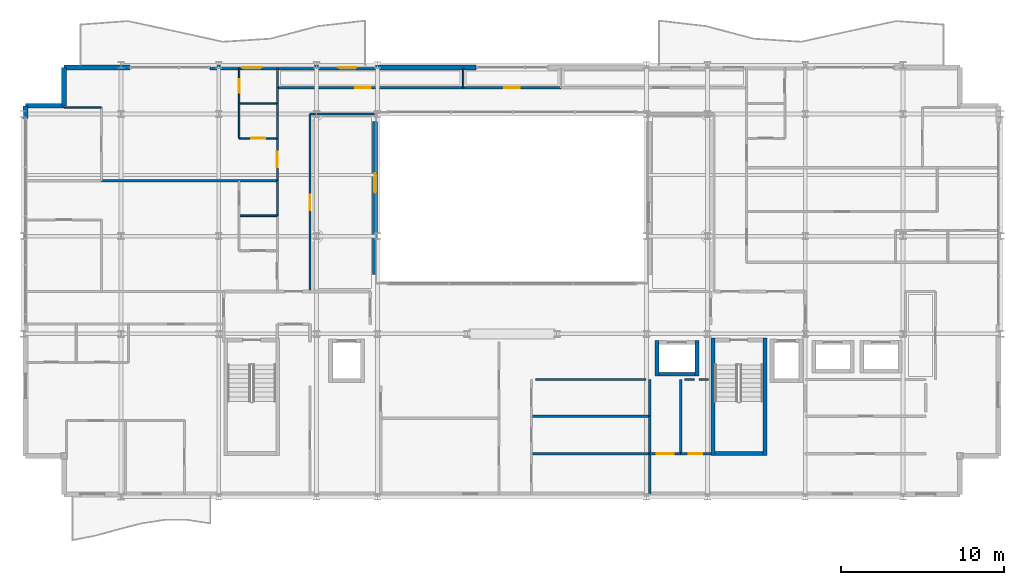
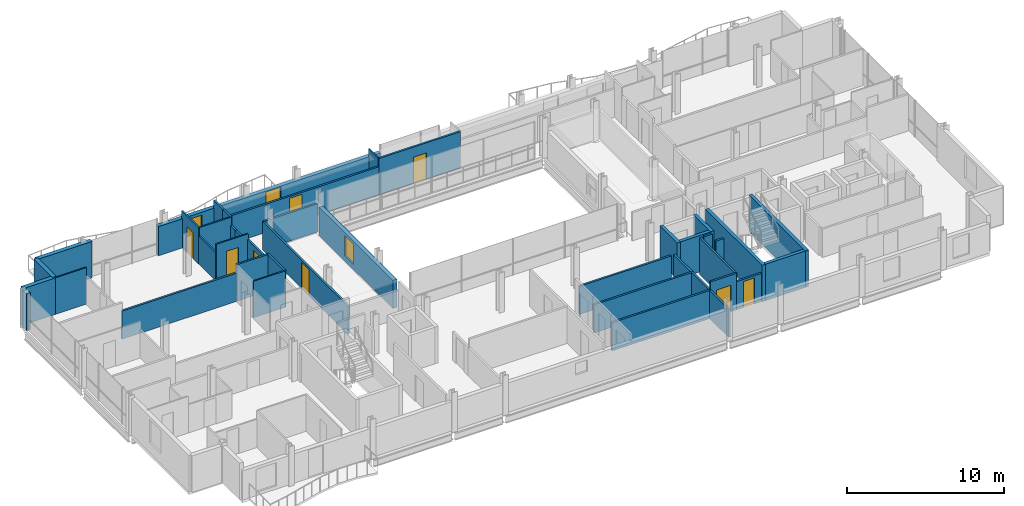
# One storey, part 30 of 36: 42 walls, 9 doors, 2 windows, 11 openings.
"""IFC4 building model written with IfcOpenShell, lengths in metres."""

from ifc_helpers import new_model, si_unit, direction, frame, frame_2d, origin, place, context, subcontext, project, spatial, rectangle, extrude, material, layer, layer_set, type_object, element, fill, save


model = new_model("IFC4")

# Units and contexts
model_context = context("Model", 3, precision=1e-05, world=origin(), true_north=direction((0.0, 1.0)))
body_context = subcontext(model_context, "Body", "Model", "MODEL_VIEW")
ifc_project = project(units=[si_unit("LENGTHUNIT", "METRE"), si_unit("AREAUNIT", "SQUARE_METRE"), si_unit("VOLUMEUNIT", "CUBIC_METRE"), si_unit("PLANEANGLEUNIT", "RADIAN"), si_unit("MASSUNIT", "GRAM", prefix="KILO")], contexts=[model_context])

# Site, building, storey
site_placement = place(None, origin())
site = spatial("IfcSite", under=ifc_project, at=site_placement, CompositionType="ELEMENT")
building_placement = place(site_placement, origin())
building = spatial("IfcBuilding", under=site, at=building_placement, Name="Brevholm Reach", CompositionType="ELEMENT")
storey_placement = place(building_placement, frame((0.0, 0.0, 175.89990234375)))
storey = spatial("IfcBuildingStorey", under=building, at=storey_placement, Name="L53", CompositionType="ELEMENT", Elevation=175.89990234375)

# Walls
ifc_material_1 = material(Name="Concrete C45/55", Category="concrete")
ifc_layer_1 = layer(ifc_material_1, 0.239990234375)
ifc_layer_set_1 = layer_set([ifc_layer_1], Name="Concrete C45/55")
wall_type_1 = type_object("IfcWallType", Name="WAL-COR-240", PredefinedType="SHEAR", material=ifc_layer_set_1)
for number, where, z_axis, x_axis, name in (
    (1, (42.330078125, 2.5400390625, 0.0), (0.0, 0.0, 1.0), (0.0, 1.0, 0.0), "L53 Escape Stair ST-2 Core Wall W"),
    (2, (45.52001953125, 2.5400390625, 0.0), (0.0, 0.0, 1.0), (0.0, 1.0, 0.0), "L53 Escape Stair ST-2 Core Wall E"),
):
    element("IfcWall", number, at=place(storey_placement, frame(where, z_axis=z_axis, x_axis=x_axis)), inside=storey, type_object=wall_type_1, Name=name, PredefinedType="SHEAR", context=body_context, shape_type="SweptSolid", body=[
        extrude(rectangle(XDim=7.199951171875, YDim=0.239990234375, at=frame_2d((3.60009765625, 0.0))), origin(), (0.0, 0.0, 1.0), 2.840087890625),
    ])
wall_1_placement = place(storey_placement, frame((42.449951171875, 2.659912109375, 0.0), z_axis=(0.0, 0.0, 1.0), x_axis=(1.0, 0.0, 0.0)))
element("IfcWall", 3, at=wall_1_placement, inside=storey, type_object=wall_type_1, Name="L53 Escape Stair ST-2 Core Wall S", PredefinedType="SHEAR", context=body_context, shape_type="SweptSolid", body=[
    extrude(rectangle(XDim=2.949951171875, YDim=0.239990234375, at=frame_2d((1.47509765625, 0.0))), origin(), (0.0, 0.0, 1.0), 2.840087890625),
])
for number, where, z_axis, x_axis, name in (
    (4, (38.889892578125, 7.39990234375, 0.0), (0.0, 0.0, 1.0), (0.0, 1.0, 0.0), "L53 Lift PL-S1 Shaft Wall W"),
    (5, (41.35009765625, 7.39990234375, 0.0), (0.0, 0.0, 1.0), (0.0, 1.0, 0.0), "L53 Lift PL-S1 Shaft Wall E"),
):
    element("IfcWall", number, at=place(storey_placement, frame(where, z_axis=z_axis, x_axis=x_axis)), inside=storey, type_object=wall_type_1, Name=name, PredefinedType="SHEAR", context=body_context, shape_type="SweptSolid", body=[
        extrude(rectangle(XDim=2.2001953125, YDim=0.239990234375, at=frame_2d((1.10009765625, 0.0))), origin(), (0.0, 0.0, 1.0), 2.840087890625),
    ])
wall_2_placement = place(storey_placement, frame((39.010009765625, 7.52001953125, 0.0), z_axis=(0.0, 0.0, 1.0), x_axis=(1.0, 0.0, 0.0)))
element("IfcWall", 6, at=wall_2_placement, inside=storey, type_object=wall_type_1, Name="L53 Lift PL-S1 Shaft Wall S", PredefinedType="SHEAR", context=body_context, shape_type="SweptSolid", body=[
    extrude(rectangle(XDim=2.219970703125, YDim=0.239990234375, at=frame_2d((1.10986328125, 0.0))), origin(), (0.0, 0.0, 1.0), 2.840087890625),
])
ifc_material_2 = material(Name="Concrete C40/50", Category="concrete")
ifc_layer_2 = layer(ifc_material_2, 0.300048828125)
ifc_layer_set_2 = layer_set([ifc_layer_2], Name="Concrete C40/50")
wall_type_2 = type_object("IfcWallType", Name="WAL-EXT-300", PredefinedType="STANDARD", material=ifc_layer_set_2)
for number, where, z_axis, x_axis, name in (
    (7, (2.5, 26.35009765625, 0.0), (0.0, 0.0, 1.0), (0.0, -1.0, 0.0), "L53 Facade Wall WAL-L53-CNW1"),
    (8, (2.5, 24.0, 0.0), (0.0, 0.0, 1.0), (-1.0, 0.0, 0.0), "L53 Facade Wall WAL-L53-CNW2"),
):
    element("IfcWall", number, at=place(storey_placement, frame(where, z_axis=z_axis, x_axis=x_axis)), inside=storey, type_object=wall_type_2, Name=name, PredefinedType="STANDARD", context=body_context, shape_type="SweptSolid", body=[
        extrude(rectangle(XDim=2.35009765625, YDim=0.300048828125, at=frame_2d((1.175048828125, 0.0))), origin(), (0.0, 0.0, 1.0), 2.840087890625),
    ])
wall_3_placement = place(storey_placement, frame((0.14990234375, 24.0, 0.0), z_axis=(0.0, 0.0, 1.0), x_axis=(0.0, -1.0, 0.0)))
element("IfcWall", 9, at=wall_3_placement, inside=storey, type_object=wall_type_2, Name="L53 Facade Wall WAL-L53-W-N", PredefinedType="STANDARD", context=body_context, shape_type="SweptSolid", body=[
    extrude(rectangle(XDim=0.780029296875, YDim=0.300048828125, at=frame_2d((0.39013671875, 0.0))), origin(), (0.0, 0.0, 1.0), 2.840087890625),
])
wall_4_placement = place(storey_placement, frame((2.5, 26.35009765625, 0.0), z_axis=(0.0, 0.0, 1.0), x_axis=(1.0, 0.0, 0.0)))
element("IfcWall", 10, at=wall_4_placement, inside=storey, type_object=wall_type_2, Name="L53 Facade Wall WAL-L53-NP-W0", PredefinedType="STANDARD", context=body_context, shape_type="SweptSolid", body=[
    extrude(rectangle(XDim=4.050048828125, YDim=0.300048828125, at=frame_2d((2.02490234375, 0.0))), origin(), (0.0, 0.0, 1.0), 2.840087890625),
])

# Wall, openings, door, window
wall_5_placement = place(storey_placement, frame((11.449951171875, 26.35009765625, 0.0), z_axis=(0.0, 0.0, 1.0), x_axis=(1.0, 0.0, 0.0)))
wall_5 = element("IfcWall", 11, at=wall_5_placement, inside=storey, type_object=wall_type_2, Name="L53 Facade Wall WAL-L53-NP-WL", PredefinedType="STANDARD", context=body_context, shape_type="SweptSolid", body=[
    extrude(rectangle(XDim=16.35009765625, YDim=0.300048828125, at=frame_2d((8.175048828125, 0.0))), origin(), (0.0, 0.0, 1.0), 2.275634765625),
])
opening_1_placement = place(wall_5_placement, frame((7.89794921875, 0.0, 0.0)))
opening_1 = element("IfcOpeningElement", 12, at=opening_1_placement, cuts=wall_5, Name="Opening BD-01", PredefinedType="OPENING", context=body_context, shape_type="SweptSolid", body=[
    extrude(rectangle(XDim=1.10009765625, YDim=2.199951171875, at=frame_2d((0.550048828125, 1.10009765625))), frame((0.0, 0.159912109375, 0.0), z_axis=(0.0, -1.0, 0.0), x_axis=(1.0, 0.0, 0.0)), (0.0, 0.0, 1.0), 0.320068359375),
])
opening_2_placement = place(wall_5_placement, frame((1.97998046875, 0.0, 0.455078125)))
opening_2 = element("IfcOpeningElement", 13, at=opening_2_placement, cuts=wall_5, Name="Opening WN-08", PredefinedType="OPENING", context=body_context, shape_type="SweptSolid", body=[
    extrude(rectangle(XDim=1.199951171875, YDim=1.60009765625, at=frame_2d((0.60009765625, 0.800048828125))), frame((0.0, 0.159912109375, 0.0), z_axis=(0.0, -1.0, 0.0), x_axis=(1.0, 0.0, 0.0)), (0.0, 0.0, 1.0), 0.320068359375),
])
ifc_material_3 = material(Name="Dark Anodised Aluminium and Triple-Glazed Glass", Category="aluminium")
door_type_1 = type_object("IfcDoorType", Name="DOR-BALC-1100", OperationType="NOTDEFINED", PredefinedType="DOOR", material=ifc_material_3)
door_1_placement = place(opening_1_placement, origin())
door_1 = element("IfcDoor", 14, at=door_1_placement, inside=storey, type_object=door_type_1, Name="L53 Exterior Door DOR-L53-BL-NW", OperationType="SINGLE_SWING_RIGHT", OverallHeight=2.199951171875, OverallWidth=1.10009765625, PredefinedType="DOOR", context=body_context, shape_type="SweptSolid", body=[
    extrude(rectangle(XDim=1.10009765625, YDim=2.199951171875, at=frame_2d((0.550048828125, 1.10009765625))), frame((0.0, 0.02490234375, 0.0), z_axis=(0.0, -1.0, 0.0), x_axis=(1.0, 0.0, 0.0)), (0.0, 0.0, 1.0), 0.050048828125),
])
fill(opening_1, door_1)
ifc_material_4 = material(Name="Dark Anodised Aluminium and Solar-Control IGU Glass", Category="aluminium")
window_type = type_object("IfcWindowType", Name="WIN-RES-1200", PartitioningType="SINGLE_PANEL", PredefinedType="WINDOW", material=ifc_material_4)
window_1_placement = place(opening_2_placement, origin())
window_1 = element("IfcWindow", 15, at=window_1_placement, inside=storey, type_object=window_type, Name="L53 Window WIN-L53-NP-WL1", OverallHeight=1.60009765625, OverallWidth=1.199951171875, PartitioningType="SINGLE_PANEL", PredefinedType="WINDOW", context=body_context, shape_type="SweptSolid", body=[
    extrude(rectangle(XDim=1.199951171875, YDim=1.60009765625, at=frame_2d((0.60009765625, 0.800048828125))), frame((0.0, 0.030029296875, 0.0), z_axis=(0.0, -1.0, 0.0), x_axis=(1.0, 0.0, 0.0)), (0.0, 0.0, 1.0), 0.06005859375),
])
fill(opening_2, window_1)

# Wall, opening, window
wall_6_placement = place(storey_placement, frame((21.60009765625, 23.050048828125, 0.0), z_axis=(0.0, 0.0, 1.0), x_axis=(0.0, -1.0, 0.0)))
wall_6 = element("IfcWall", 16, at=wall_6_placement, inside=storey, type_object=wall_type_2, Name="L53 Facade Wall WAL-L53-AT-W", PredefinedType="STANDARD", context=body_context, shape_type="SweptSolid", body=[
    extrude(rectangle(XDim=9.400146484375, YDim=0.300048828125, at=frame_2d((4.7001953125, 0.0))), origin(), (0.0, 0.0, 1.0), 2.19482421875),
])
opening_3_placement = place(wall_6_placement, frame((3.199951171875, 0.0, 0.375)))
opening_3 = element("IfcOpeningElement", 17, at=opening_3_placement, cuts=wall_6, Name="Opening WN-08", PredefinedType="OPENING", context=body_context, shape_type="SweptSolid", body=[
    extrude(rectangle(XDim=1.199951171875, YDim=1.60009765625, at=frame_2d((0.60009765625, 0.800048828125))), frame((0.0, 0.159912109375, 0.0), z_axis=(0.0, -1.0, 0.0), x_axis=(1.0, 0.0, 0.0)), (0.0, 0.0, 1.0), 0.320068359375),
])
window_2_placement = place(opening_3_placement, origin())
window_2 = element("IfcWindow", 18, at=window_2_placement, inside=storey, type_object=window_type, Name="L53 Window WIN-L53-AT-W1", OverallHeight=1.60009765625, OverallWidth=1.199951171875, PartitioningType="SINGLE_PANEL", PredefinedType="WINDOW", context=body_context, shape_type="SweptSolid", body=[
    extrude(rectangle(XDim=1.199951171875, YDim=1.60009765625, at=frame_2d((0.60009765625, 0.800048828125))), frame((0.0, 0.030029296875, 0.0), z_axis=(0.0, -1.0, 0.0), x_axis=(1.0, 0.0, 0.0)), (0.0, 0.0, 1.0), 0.06005859375),
])
fill(opening_3, window_2)

# Walls
ifc_material_5 = material(Name="Moisture-Resistant Acoustic Gypsum Stud Partition 100 mm", Category="gypsum")
ifc_layer_3 = layer(ifc_material_5, 0.10009765625)
ifc_layer_set_3 = layer_set([ifc_layer_3], Name="Moisture-Resistant Acoustic Gypsum Stud Partition 100 mm")
wall_type_3 = type_object("IfcWallType", Name="WAL-PRT-100", PredefinedType="PARTITIONING", material=ifc_layer_set_3)
wall_7_placement = place(storey_placement, frame((13.25, 17.25, 0.0), z_axis=(0.0, 0.0, 1.0), x_axis=(1.0, 0.0, 0.0)))
element("IfcWall", 19, at=wall_7_placement, inside=storey, type_object=wall_type_3, Name="L53 Internal Partition 066", PredefinedType="PARTITIONING", context=body_context, shape_type="SweptSolid", body=[
    extrude(rectangle(XDim=2.345947265625, YDim=0.10009765625, at=frame_2d((1.1728515625, 0.0))), origin(), (0.0, 0.0, 1.0), 2.840087890625),
])
wall_8_placement = place(storey_placement, frame((13.25, 24.14990234375, 0.0), z_axis=(0.0, 0.0, 1.0), x_axis=(1.0, 0.0, 0.0)))
element("IfcWall", 20, at=wall_8_placement, inside=storey, type_object=wall_type_3, Name="L53 Internal Partition 075", PredefinedType="PARTITIONING", context=body_context, shape_type="SweptSolid", body=[
    extrude(rectangle(XDim=2.35009765625, YDim=0.10009765625, at=frame_2d((1.175048828125, 0.0))), origin(), (0.0, 0.0, 1.0), 2.840087890625),
])

# Wall, opening, door
wall_9_placement = place(storey_placement, frame((13.25, 24.14990234375, 0.0), z_axis=(0.0, 0.0, 1.0), x_axis=(0.0, 1.0, 0.0)))
wall_9 = element("IfcWall", 21, at=wall_9_placement, inside=storey, type_object=wall_type_3, Name="L53 Internal Partition 076", PredefinedType="PARTITIONING", context=body_context, shape_type="SweptSolid", body=[
    extrude(rectangle(XDim=2.150146484375, YDim=0.10009765625, at=frame_2d((1.0751953125, 0.0))), origin(), (0.0, 0.0, 1.0), 2.840087890625),
])
opening_4_placement = place(wall_9_placement, frame((0.6650390625, 0.0, 0.0)))
opening_4 = element("IfcOpeningElement", 22, at=opening_4_placement, cuts=wall_9, Name="Opening ID-03", PredefinedType="OPENING", context=body_context, shape_type="SweptSolid", body=[
    extrude(rectangle(XDim=0.820068359375, YDim=2.02001953125, at=frame_2d((0.41015625, 1.010009765625))), frame((0.0, 0.06005859375, 0.0), z_axis=(0.0, -1.0, 0.0), x_axis=(1.0, 0.0, 0.0)), (0.0, 0.0, 1.0), 0.1201171875),
])
ifc_material_6 = material(Name="Moisture-Resistant Painted Timber Internal Bathroom Door", Category="wood")
door_type_2 = type_object("IfcDoorType", Name="DOR-BATH-820", OperationType="NOTDEFINED", PredefinedType="DOOR", material=ifc_material_6)
door_2_placement = place(opening_4_placement, origin())
door_2 = element("IfcDoor", 23, at=door_2_placement, inside=storey, type_object=door_type_2, Name="L53 Internal Door 034", OperationType="SINGLE_SWING_RIGHT", OverallHeight=2.02001953125, OverallWidth=0.820068359375, PredefinedType="DOOR", context=body_context, shape_type="SweptSolid", body=[
    extrude(rectangle(XDim=0.820068359375, YDim=2.02001953125, at=frame_2d((0.41015625, 1.010009765625))), frame((0.0, 0.02490234375, 0.0), z_axis=(0.0, -1.0, 0.0), x_axis=(1.0, 0.0, 0.0)), (0.0, 0.0, 1.0), 0.050048828125),
])
fill(opening_4, door_2)

wall_10_placement = place(storey_placement, frame((13.25, 22.0, 0.0), z_axis=(0.0, 0.0, 1.0), x_axis=(1.0, 0.0, 0.0)))
wall_10 = element("IfcWall", 24, at=wall_10_placement, inside=storey, type_object=wall_type_3, Name="L53 Internal Partition 079", PredefinedType="PARTITIONING", context=body_context, shape_type="SweptSolid", body=[
    extrude(rectangle(XDim=2.345947265625, YDim=0.10009765625, at=frame_2d((1.1728515625, 0.0))), origin(), (0.0, 0.0, 1.0), 2.840087890625),
])
opening_5_placement = place(wall_10_placement, frame((0.73291015625, 0.0, 0.0)))
opening_5 = element("IfcOpeningElement", 25, at=opening_5_placement, cuts=wall_10, Name="Opening ID-01", PredefinedType="OPENING", context=body_context, shape_type="SweptSolid", body=[
    extrude(rectangle(XDim=0.8798828125, YDim=2.0400390625, at=frame_2d((0.43994140625, 1.02001953125))), frame((0.0, 0.06005859375, 0.0), z_axis=(0.0, -1.0, 0.0), x_axis=(1.0, 0.0, 0.0)), (0.0, 0.0, 1.0), 0.1201171875),
])
ifc_material_7 = material(Name="Lacquered Ash Solid-Core Acoustic Internal Door", Category="timber")
door_type_3 = type_object("IfcDoorType", Name="DOR-INT-880", OperationType="NOTDEFINED", PredefinedType="DOOR", material=ifc_material_7)
door_3_placement = place(opening_5_placement, origin())
door_3 = element("IfcDoor", 26, at=door_3_placement, inside=storey, type_object=door_type_3, Name="L53 Internal Door 035", OperationType="SINGLE_SWING_LEFT", OverallHeight=2.0400390625, OverallWidth=0.8798828125, PredefinedType="DOOR", context=body_context, shape_type="SweptSolid", body=[
    extrude(rectangle(XDim=0.8798828125, YDim=2.0400390625, at=frame_2d((0.43994140625, 1.02001953125))), frame((0.0, 0.02490234375, 0.0), z_axis=(0.0, -1.0, 0.0), x_axis=(1.0, 0.0, 0.0)), (0.0, 0.0, 1.0), 0.050048828125),
])
fill(opening_5, door_3)

# Walls
wall_11_placement = place(storey_placement, frame((13.25, 22.0, 0.0), z_axis=(0.0, 0.0, 1.0), x_axis=(0.0, 1.0, 0.0)))
element("IfcWall", 27, at=wall_11_placement, inside=storey, type_object=wall_type_3, Name="L53 Internal Partition 080", PredefinedType="PARTITIONING", context=body_context, shape_type="SweptSolid", body=[
    extrude(rectangle(XDim=2.14599609375, YDim=0.10009765625, at=frame_2d((1.072998046875, 0.0))), origin(), (0.0, 0.0, 1.0), 2.19482421875),
])
wall_12_placement = place(storey_placement, frame((2.52001953125, 23.89990234375, 0.0), z_axis=(0.0, 0.0, 1.0), x_axis=(1.0, 0.0, 0.0)))
element("IfcWall", 28, at=wall_12_placement, inside=storey, type_object=wall_type_3, Name="L53 Internal Partition 082", PredefinedType="PARTITIONING", context=body_context, shape_type="SweptSolid", body=[
    extrude(rectangle(XDim=2.280029296875, YDim=0.10009765625, at=frame_2d((1.14013671875, 0.0))), origin(), (0.0, 0.0, 1.0), 2.840087890625),
])
wall_13_placement = place(storey_placement, frame((27.0, 25.10400390625, 0.0), z_axis=(0.0, 0.0, 1.0), x_axis=(0.0, 1.0, 0.0)))
element("IfcWall", 29, at=wall_13_placement, inside=storey, type_object=wall_type_3, Name="L53 Internal Partition 107", PredefinedType="PARTITIONING", context=body_context, shape_type="SweptSolid", body=[
    extrude(rectangle(XDim=1.196044921875, YDim=0.10009765625, at=frame_2d((0.59814453125, 0.0))), origin(), (0.0, 0.0, 1.0), 2.840087890625),
])
ifc_material_8 = material(Name="Twin-Stud Acoustic Fire-Rated Gypsum Partition 140 mm", Category="gypsum")
ifc_layer_4 = layer(ifc_material_8, 0.139892578125)
ifc_layer_set_4 = layer_set([ifc_layer_4], Name="Twin-Stud Acoustic Fire-Rated Gypsum Partition 140 mm")
wall_type_4 = type_object("IfcWallType", Name="WAL-PRT-140", PredefinedType="PARTITIONING", material=ifc_layer_set_4)
wall_14_placement = place(storey_placement, frame((31.2041015625, 2.64990234375, 0.0), z_axis=(0.0, 0.0, 1.0), x_axis=(1.0, 0.0, 0.0)))
element("IfcWall", 30, at=wall_14_placement, inside=storey, type_object=wall_type_4, Name="L53 Internal Partition 009", PredefinedType="PARTITIONING", context=body_context, shape_type="SweptSolid", body=[
    extrude(rectangle(XDim=7.245849609375, YDim=0.139892578125, at=frame_2d((3.623046875, 0.0))), origin(), (0.0, 0.0, 1.0), 2.19482421875),
])
wall_15_placement = place(storey_placement, frame((38.449951171875, 0.179931640625, 0.0), z_axis=(0.0, 0.0, 1.0), x_axis=(0.0, 1.0, 0.0)))
element("IfcWall", 31, at=wall_15_placement, inside=storey, type_object=wall_type_4, Name="L53 Internal Partition 010", PredefinedType="PARTITIONING", context=body_context, shape_type="SweptSolid", body=[
    extrude(rectangle(XDim=2.469970703125, YDim=0.139892578125, at=frame_2d((1.23486328125, 0.0))), origin(), (0.0, 0.0, 1.0), 2.19482421875),
])
wall_16_placement = place(storey_placement, frame((31.2041015625, 4.949951171875, 0.0), z_axis=(0.0, 0.0, 1.0), x_axis=(1.0, 0.0, 0.0)))
element("IfcWall", 32, at=wall_16_placement, inside=storey, type_object=wall_type_4, Name="L53 Internal Partition 011", PredefinedType="PARTITIONING", context=body_context, shape_type="SweptSolid", body=[
    extrude(rectangle(XDim=7.245849609375, YDim=0.139892578125, at=frame_2d((3.623046875, 0.0))), origin(), (0.0, 0.0, 1.0), 2.19482421875),
])
wall_17_placement = place(storey_placement, frame((38.449951171875, 2.654052734375, 0.0), z_axis=(0.0, 0.0, 1.0), x_axis=(0.0, 1.0, 0.0)))
element("IfcWall", 33, at=wall_17_placement, inside=storey, type_object=wall_type_4, Name="L53 Internal Partition 012", PredefinedType="PARTITIONING", context=body_context, shape_type="SweptSolid", body=[
    extrude(rectangle(XDim=2.2958984375, YDim=0.139892578125, at=frame_2d((1.14794921875, 0.0))), origin(), (0.0, 0.0, 1.0), 2.19482421875),
])
wall_18_placement = place(storey_placement, frame((38.449951171875, 4.9541015625, 0.0), z_axis=(0.0, 0.0, 1.0), x_axis=(0.0, 1.0, 0.0)))
element("IfcWall", 34, at=wall_18_placement, inside=storey, type_object=wall_type_4, Name="L53 Internal Partition 013", PredefinedType="PARTITIONING", context=body_context, shape_type="SweptSolid", body=[
    extrude(rectangle(XDim=2.245849609375, YDim=0.139892578125, at=frame_2d((1.123046875, 0.0))), origin(), (0.0, 0.0, 1.0), 2.19482421875),
])

# Wall, opening, door
wall_19_placement = place(storey_placement, frame((38.4541015625, 2.64990234375, 0.0), z_axis=(0.0, 0.0, 1.0), x_axis=(1.0, 0.0, 0.0)))
wall_19 = element("IfcWall", 35, at=wall_19_placement, inside=storey, type_object=wall_type_4, Name="L53 Internal Partition 015", PredefinedType="PARTITIONING", context=body_context, shape_type="SweptSolid", body=[
    extrude(rectangle(XDim=1.9072265625, YDim=0.139892578125, at=frame_2d((0.95361328125, 0.0))), origin(), (0.0, 0.0, 1.0), 2.840087890625),
])
opening_6_placement = place(wall_19_placement, frame((0.4287109375, 0.0, 0.0)))
opening_6 = element("IfcOpeningElement", 36, at=opening_6_placement, cuts=wall_19, Name="Opening FD-01", PredefinedType="OPENING", context=body_context, shape_type="SweptSolid", body=[
    extrude(rectangle(XDim=1.050048828125, YDim=2.06005859375, at=frame_2d((0.52490234375, 1.030029296875))), frame((0.0, 0.079833984375, 0.0), z_axis=(0.0, -1.0, 0.0), x_axis=(1.0, 0.0, 0.0)), (0.0, 0.0, 1.0), 0.159912109375),
])
ifc_material_9 = material(Name="Hardwood-Lipped Steel-Core Fire and Smoke Door", Category="steel")
door_type_4 = type_object("IfcDoorType", Name="DOR-INT-FD60S", OperationType="NOTDEFINED", PredefinedType="DOOR", material=ifc_material_9)
door_4_placement = place(opening_6_placement, origin())
door_4 = element("IfcDoor", 37, at=door_4_placement, inside=storey, type_object=door_type_4, Name="L53 Internal Door 008", OperationType="SINGLE_SWING_RIGHT", OverallHeight=2.06005859375, OverallWidth=1.050048828125, PredefinedType="DOOR", context=body_context, shape_type="SweptSolid", body=[
    extrude(rectangle(XDim=1.050048828125, YDim=2.06005859375, at=frame_2d((0.52490234375, 1.030029296875))), frame((0.0, 0.02490234375, 0.0), z_axis=(0.0, -1.0, 0.0), x_axis=(1.0, 0.0, 0.0)), (0.0, 0.0, 1.0), 0.050048828125),
])
fill(opening_6, door_4)

wall_20_placement = place(storey_placement, frame((40.3427734375, 2.64990234375, 0.0), z_axis=(0.0, 0.0, 1.0), x_axis=(1.0, 0.0, 0.0)))
wall_20 = element("IfcWall", 38, at=wall_20_placement, inside=storey, type_object=wall_type_4, Name="L53 Internal Partition 016", PredefinedType="PARTITIONING", context=body_context, shape_type="SweptSolid", body=[
    extrude(rectangle(XDim=1.857177734375, YDim=0.139892578125, at=frame_2d((0.9287109375, 0.0))), origin(), (0.0, 0.0, 1.0), 2.19482421875),
])
opening_7_placement = place(wall_20_placement, frame((0.518798828125, 0.0, 0.0)))
opening_7 = element("IfcOpeningElement", 39, at=opening_7_placement, cuts=wall_20, Name="Opening ID-02", PredefinedType="OPENING", context=body_context, shape_type="SweptSolid", body=[
    extrude(rectangle(XDim=0.820068359375, YDim=2.02001953125, at=frame_2d((0.41015625, 1.010009765625))), frame((0.0, 0.079833984375, 0.0), z_axis=(0.0, -1.0, 0.0), x_axis=(1.0, 0.0, 0.0)), (0.0, 0.0, 1.0), 0.159912109375),
])
ifc_material_10 = material(Name="Moisture-Resistant Painted Timber Fire-Rated Riser and Service Door", Category="wood")
door_type_5 = type_object("IfcDoorType", Name="DOR-SRV-820", OperationType="NOTDEFINED", PredefinedType="DOOR", material=ifc_material_10)
door_5_placement = place(opening_7_placement, origin())
door_5 = element("IfcDoor", 40, at=door_5_placement, inside=storey, type_object=door_type_5, Name="L53 Internal Door 009", OperationType="SINGLE_SWING_LEFT", OverallHeight=2.02001953125, OverallWidth=0.820068359375, PredefinedType="DOOR", context=body_context, shape_type="SweptSolid", body=[
    extrude(rectangle(XDim=0.820068359375, YDim=2.02001953125, at=frame_2d((0.41015625, 1.010009765625))), frame((0.0, 0.02490234375, 0.0), z_axis=(0.0, -1.0, 0.0), x_axis=(1.0, 0.0, 0.0)), (0.0, 0.0, 1.0), 0.050048828125),
])
fill(opening_7, door_5)

# Walls
wall_21_placement = place(storey_placement, frame((40.35009765625, 2.654052734375, 0.0), z_axis=(0.0, 0.0, 1.0), x_axis=(0.0, 1.0, 0.0)))
element("IfcWall", 41, at=wall_21_placement, inside=storey, type_object=wall_type_4, Name="L53 Internal Partition 022", PredefinedType="PARTITIONING", context=body_context, shape_type="SweptSolid", body=[
    extrude(rectangle(XDim=4.5458984375, YDim=0.139892578125, at=frame_2d((2.27294921875, 0.0))), origin(), (0.0, 0.0, 1.0), 2.840087890625),
])
wall_22_placement = place(storey_placement, frame((15.60009765625, 17.23876953125, 0.0), z_axis=(0.0, 0.0, 1.0), x_axis=(0.0, 1.0, 0.0)))
element("IfcWall", 42, at=wall_22_placement, inside=storey, type_object=wall_type_4, Name="L53 Internal Partition 038", PredefinedType="PARTITIONING", context=body_context, shape_type="SweptSolid", body=[
    extrude(rectangle(XDim=2.172607421875, YDim=0.139892578125, at=frame_2d((1.08642578125, 0.0))), origin(), (0.0, 0.0, 1.0), 2.840087890625),
])
wall_23_placement = place(storey_placement, frame((15.60009765625, 21.98876953125, 0.0), z_axis=(0.0, 0.0, 1.0), x_axis=(0.0, 1.0, 0.0)))
element("IfcWall", 43, at=wall_23_placement, inside=storey, type_object=wall_type_4, Name="L53 Internal Partition 041", PredefinedType="PARTITIONING", context=body_context, shape_type="SweptSolid", body=[
    extrude(rectangle(XDim=1.51123046875, YDim=0.139892578125, at=frame_2d((0.755615234375, 0.0))), origin(), (0.0, 0.0, 1.0), 2.19482421875),
])

# Wall, opening, door
wall_24_placement = place(storey_placement, frame((15.60009765625, 19.392578125, 0.0), z_axis=(0.0, 0.0, 1.0), x_axis=(0.0, 1.0, 0.0)))
wall_24 = element("IfcWall", 44, at=wall_24_placement, inside=storey, type_object=wall_type_4, Name="L53 Internal Partition 042", PredefinedType="PARTITIONING", context=body_context, shape_type="SweptSolid", body=[
    extrude(rectangle(XDim=2.61474609375, YDim=0.139892578125, at=frame_2d((1.307373046875, 0.0))), origin(), (0.0, 0.0, 1.0), 2.40869140625),
])
opening_8_placement = place(wall_24_placement, frame((0.832275390625, 0.0, 0.0)))
opening_8 = element("IfcOpeningElement", 45, at=opening_8_placement, cuts=wall_24, Name="Opening ID-30", PredefinedType="OPENING", context=body_context, shape_type="SweptSolid", body=[
    extrude(rectangle(XDim=0.949951171875, YDim=2.050048828125, at=frame_2d((0.47509765625, 1.02490234375))), frame((0.0, 0.079833984375, 0.0), z_axis=(0.0, -1.0, 0.0), x_axis=(1.0, 0.0, 0.0)), (0.0, 0.0, 1.0), 0.159912109375),
])
ifc_material_11 = material(Name="European Oak Veneered Solid-Core Fire Entrance Door", Category="timber")
door_type_6 = type_object("IfcDoorType", Name="DOR-FLT-FD30S", OperationType="NOTDEFINED", PredefinedType="DOOR", material=ifc_material_11)
door_6_placement = place(opening_8_placement, origin())
door_6 = element("IfcDoor", 46, at=door_6_placement, inside=storey, type_object=door_type_6, Name="L53 Internal Door 022", OperationType="SINGLE_SWING_RIGHT", OverallHeight=2.050048828125, OverallWidth=0.949951171875, PredefinedType="DOOR", context=body_context, shape_type="SweptSolid", body=[
    extrude(rectangle(XDim=0.949951171875, YDim=2.050048828125, at=frame_2d((0.47509765625, 1.02490234375))), frame((0.0, 0.02490234375, 0.0), z_axis=(0.0, -1.0, 0.0), x_axis=(1.0, 0.0, 0.0)), (0.0, 0.0, 1.0), 0.050048828125),
])
fill(opening_8, door_6)

wall_25_placement = place(storey_placement, frame((17.60009765625, 12.60400390625, 0.0), z_axis=(0.0, 0.0, 1.0), x_axis=(0.0, 1.0, 0.0)))
wall_25 = element("IfcWall", 47, at=wall_25_placement, inside=storey, type_object=wall_type_4, Name="L53 Internal Partition 043", PredefinedType="PARTITIONING", context=body_context, shape_type="SweptSolid", body=[
    extrude(rectangle(XDim=10.89599609375, YDim=0.139892578125, at=frame_2d((5.447998046875, 0.0))), origin(), (0.0, 0.0, 1.0), 2.19482421875),
])
opening_9_placement = place(wall_25_placement, frame((4.972900390625, 0.0, 0.0)))
opening_9 = element("IfcOpeningElement", 48, at=opening_9_placement, cuts=wall_25, Name="Opening ID-30", PredefinedType="OPENING", context=body_context, shape_type="SweptSolid", body=[
    extrude(rectangle(XDim=0.949951171875, YDim=2.050048828125, at=frame_2d((0.47509765625, 1.02490234375))), frame((0.0, 0.079833984375, 0.0), z_axis=(0.0, -1.0, 0.0), x_axis=(1.0, 0.0, 0.0)), (0.0, 0.0, 1.0), 0.159912109375),
])
door_7_placement = place(opening_9_placement, origin())
door_7 = element("IfcDoor", 49, at=door_7_placement, inside=storey, type_object=door_type_6, Name="L53 Internal Door 023", OperationType="SINGLE_SWING_LEFT", OverallHeight=2.050048828125, OverallWidth=0.949951171875, PredefinedType="DOOR", context=body_context, shape_type="SweptSolid", body=[
    extrude(rectangle(XDim=0.949951171875, YDim=2.050048828125, at=frame_2d((0.47509765625, 1.02490234375))), frame((0.0, 0.02490234375, 0.0), z_axis=(0.0, -1.0, 0.0), x_axis=(1.0, 0.0, 0.0)), (0.0, 0.0, 1.0), 0.050048828125),
])
fill(opening_9, door_7)

# Walls
wall_26_placement = place(storey_placement, frame((13.25, 19.39990234375, 0.0), z_axis=(0.0, 0.0, 1.0), x_axis=(1.0, 0.0, 0.0)))
element("IfcWall", 50, at=wall_26_placement, inside=storey, type_object=wall_type_4, Name="L53 Internal Partition 068", PredefinedType="PARTITIONING", context=body_context, shape_type="SweptSolid", body=[
    extrude(rectangle(XDim=2.345947265625, YDim=0.139892578125, at=frame_2d((1.1728515625, 0.0))), origin(), (0.0, 0.0, 1.0), 2.840087890625),
])
wall_27_placement = place(storey_placement, frame((4.792724609375, 19.39990234375, 0.0), z_axis=(0.0, 0.0, 1.0), x_axis=(1.0, 0.0, 0.0)))
element("IfcWall", 51, at=wall_27_placement, inside=storey, type_object=wall_type_4, Name="L53 Internal Partition 074", PredefinedType="PARTITIONING", context=body_context, shape_type="SweptSolid", body=[
    extrude(rectangle(XDim=8.453369140625, YDim=0.139892578125, at=frame_2d((4.2265625, 0.0))), origin(), (0.0, 0.0, 1.0), 2.19482421875),
])
wall_28_placement = place(storey_placement, frame((15.60009765625, 24.14990234375, 0.0), z_axis=(0.0, 0.0, 1.0), x_axis=(0.0, 1.0, 0.0)))
element("IfcWall", 52, at=wall_28_placement, inside=storey, type_object=wall_type_4, Name="L53 Internal Partition 077", PredefinedType="PARTITIONING", context=body_context, shape_type="SweptSolid", body=[
    extrude(rectangle(XDim=0.96142578125, YDim=0.139892578125, at=frame_2d((0.480712890625, 0.0))), origin(), (0.0, 0.0, 1.0), 2.840087890625),
])
wall_29_placement = place(storey_placement, frame((15.60009765625, 25.0927734375, 0.0), z_axis=(0.0, 0.0, 1.0), x_axis=(0.0, 1.0, 0.0)))
element("IfcWall", 53, at=wall_29_placement, inside=storey, type_object=wall_type_4, Name="L53 Internal Partition 078", PredefinedType="PARTITIONING", context=body_context, shape_type="SweptSolid", body=[
    extrude(rectangle(XDim=1.207275390625, YDim=0.139892578125, at=frame_2d((0.603515625, 0.0))), origin(), (0.0, 0.0, 1.0), 2.840087890625),
])
wall_30_placement = place(storey_placement, frame((15.60009765625, 23.50390625, 0.0), z_axis=(0.0, 0.0, 1.0), x_axis=(0.0, 1.0, 0.0)))
element("IfcWall", 54, at=wall_30_placement, inside=storey, type_object=wall_type_4, Name="L53 Internal Partition 081", PredefinedType="PARTITIONING", context=body_context, shape_type="SweptSolid", body=[
    extrude(rectangle(XDim=0.64208984375, YDim=0.139892578125, at=frame_2d((0.321044921875, 0.0))), origin(), (0.0, 0.0, 1.0), 2.19482421875),
])
wall_31_placement = place(storey_placement, frame((17.60400390625, 23.5, 0.0), z_axis=(0.0, 0.0, 1.0), x_axis=(1.0, 0.0, 0.0)))
element("IfcWall", 55, at=wall_31_placement, inside=storey, type_object=wall_type_4, Name="L53 Internal Partition 102", PredefinedType="PARTITIONING", context=body_context, shape_type="SweptSolid", body=[
    extrude(rectangle(XDim=3.946044921875, YDim=0.139892578125, at=frame_2d((1.97314453125, 0.0))), origin(), (0.0, 0.0, 1.0), 2.19482421875),
])

# Wall, opening, door
wall_32_placement = place(storey_placement, frame((15.60400390625, 25.10009765625, 0.0), z_axis=(0.0, 0.0, 1.0), x_axis=(1.0, 0.0, 0.0)))
wall_32 = element("IfcWall", 56, at=wall_32_placement, inside=storey, type_object=wall_type_4, Name="L53 Internal Partition 104", PredefinedType="PARTITIONING", context=body_context, shape_type="SweptSolid", body=[
    extrude(rectangle(XDim=11.4072265625, YDim=0.139892578125, at=frame_2d((5.70361328125, 0.0))), origin(), (0.0, 0.0, 1.0), 2.19482421875),
])
opening_10_placement = place(wall_32_placement, frame((4.78857421875, 0.0, 0.0)))
opening_10 = element("IfcOpeningElement", 57, at=opening_10_placement, cuts=wall_32, Name="Opening ID-30", PredefinedType="OPENING", context=body_context, shape_type="SweptSolid", body=[
    extrude(rectangle(XDim=0.949951171875, YDim=2.050048828125, at=frame_2d((0.47509765625, 1.02490234375))), frame((0.0, 0.079833984375, 0.0), z_axis=(0.0, -1.0, 0.0), x_axis=(1.0, 0.0, 0.0)), (0.0, 0.0, 1.0), 0.159912109375),
])
door_8_placement = place(opening_10_placement, origin())
door_8 = element("IfcDoor", 58, at=door_8_placement, inside=storey, type_object=door_type_6, Name="L53 Internal Door 043", OperationType="SINGLE_SWING_LEFT", OverallHeight=2.050048828125, OverallWidth=0.949951171875, PredefinedType="DOOR", context=body_context, shape_type="SweptSolid", body=[
    extrude(rectangle(XDim=0.949951171875, YDim=2.050048828125, at=frame_2d((0.47509765625, 1.02490234375))), frame((0.0, 0.02490234375, 0.0), z_axis=(0.0, -1.0, 0.0), x_axis=(1.0, 0.0, 0.0)), (0.0, 0.0, 1.0), 0.050048828125),
])
fill(opening_10, door_8)

wall_33_placement = place(storey_placement, frame((26.99267578125, 25.10009765625, 0.0), z_axis=(0.0, 0.0, 1.0), x_axis=(1.0, 0.0, 0.0)))
wall_33 = element("IfcWall", 59, at=wall_33_placement, inside=storey, type_object=wall_type_4, Name="L53 Internal Partition 105", PredefinedType="PARTITIONING", context=body_context, shape_type="SweptSolid", body=[
    extrude(rectangle(XDim=6.0185546875, YDim=0.139892578125, at=frame_2d((3.00927734375, 0.0))), origin(), (0.0, 0.0, 1.0), 2.840087890625),
])
opening_11_placement = place(wall_33_placement, frame((2.5341796875, 0.0, 0.0)))
opening_11 = element("IfcOpeningElement", 60, at=opening_11_placement, cuts=wall_33, Name="Opening ID-30", PredefinedType="OPENING", context=body_context, shape_type="SweptSolid", body=[
    extrude(rectangle(XDim=0.949951171875, YDim=2.050048828125, at=frame_2d((0.47509765625, 1.02490234375))), frame((0.0, 0.079833984375, 0.0), z_axis=(0.0, -1.0, 0.0), x_axis=(1.0, 0.0, 0.0)), (0.0, 0.0, 1.0), 0.159912109375),
])
door_9_placement = place(opening_11_placement, origin())
door_9 = element("IfcDoor", 61, at=door_9_placement, inside=storey, type_object=door_type_6, Name="L53 Internal Door 044", OperationType="SINGLE_SWING_RIGHT", OverallHeight=2.050048828125, OverallWidth=0.949951171875, PredefinedType="DOOR", context=body_context, shape_type="SweptSolid", body=[
    extrude(rectangle(XDim=0.949951171875, YDim=2.050048828125, at=frame_2d((0.47509765625, 1.02490234375))), frame((0.0, 0.02490234375, 0.0), z_axis=(0.0, -1.0, 0.0), x_axis=(1.0, 0.0, 0.0)), (0.0, 0.0, 1.0), 0.050048828125),
])
fill(opening_11, door_9)

# Walls
wall_34_placement = place(storey_placement, frame((31.43994140625, 7.199951171875, 0.0), z_axis=(0.0, 0.0, 1.0), x_axis=(1.0, 0.0, 0.0)))
element("IfcWall", 62, at=wall_34_placement, inside=storey, type_object=wall_type_4, Name="L53 Internal Partition 109", PredefinedType="PARTITIONING", context=body_context, shape_type="SweptSolid", body=[
    extrude(rectangle(XDim=6.77001953125, YDim=0.139892578125, at=frame_2d((3.385009765625, 0.0))), origin(), (0.0, 0.0, 1.0), 2.19482421875),
])
wall_35_placement = place(storey_placement, frame((41.482666015625, 7.199951171875, 0.0), z_axis=(0.0, 0.0, 1.0), x_axis=(1.0, 0.0, 0.0)))
element("IfcWall", 63, at=wall_35_placement, inside=storey, type_object=wall_type_4, Name="L53 Internal Partition 110", PredefinedType="PARTITIONING", context=body_context, shape_type="SweptSolid", body=[
    extrude(rectangle(XDim=0.577392578125, YDim=0.139892578125, at=frame_2d((0.28857421875, 0.0))), origin(), (0.0, 0.0, 1.0), 2.19482421875),
])
wall_36_placement = place(storey_placement, frame((40.590087890625, 7.199951171875, 0.0), z_axis=(0.0, 0.0, 1.0), x_axis=(1.0, 0.0, 0.0)))
element("IfcWall", 64, at=wall_36_placement, inside=storey, type_object=wall_type_4, Name="L53 Internal Partition 111", PredefinedType="PARTITIONING", context=body_context, shape_type="SweptSolid", body=[
    extrude(rectangle(XDim=0.627197265625, YDim=0.139892578125, at=frame_2d((0.3134765625, 0.0))), origin(), (0.0, 0.0, 1.0), 2.840087890625),
])

save(model, "model.ifc")
